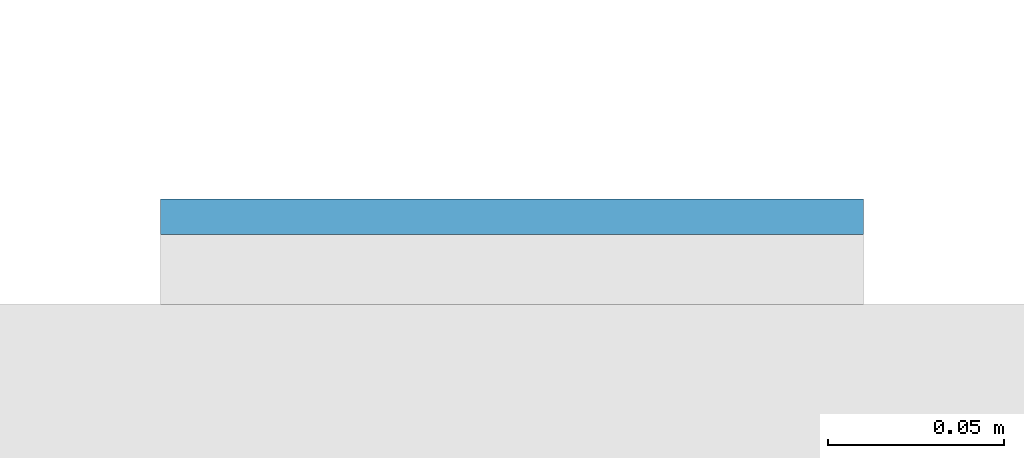
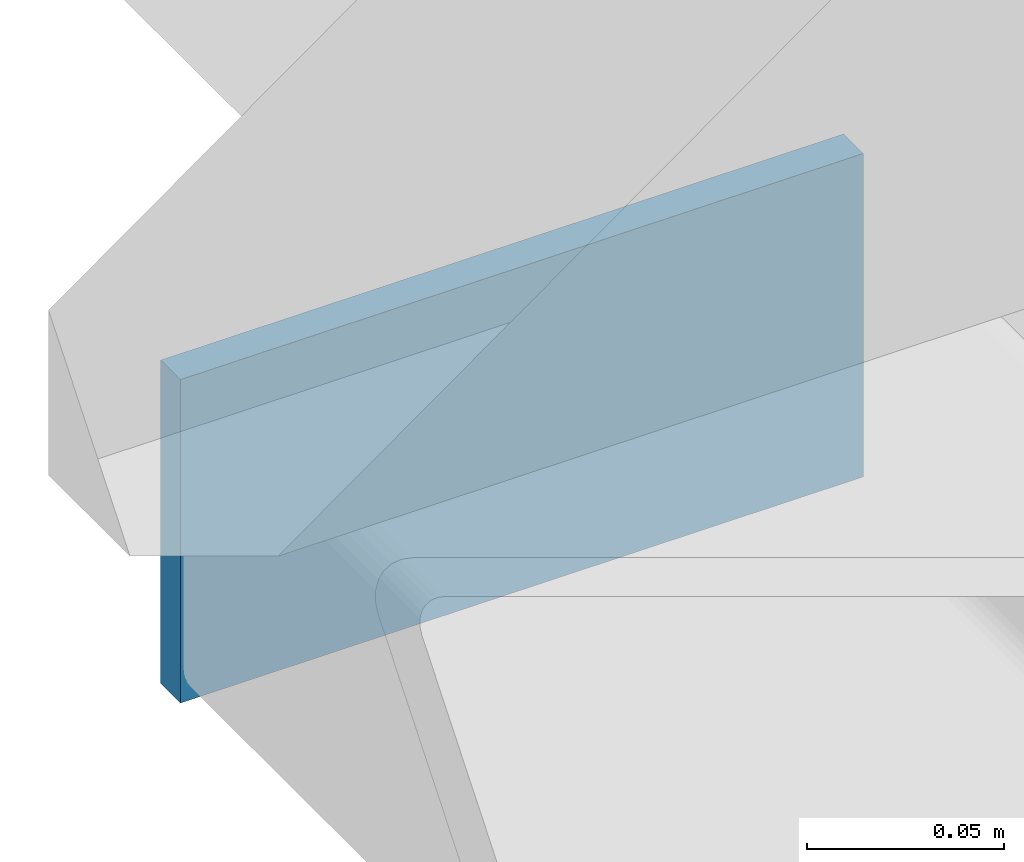
# One storey, part 9 of 20: 1 plate.
"""IFC4 building model written with IfcOpenShell, lengths in metres."""

import ifcopenshell
import ifcopenshell.guid

model = None  # the IFC model being written
_history = None  # IfcOwnerHistory: only IFC2X3 demands one
_inside = {}  # id of a spatial element -> (the spatial element, [elements in it])
_under = {}  # id of a project, library or spatial element -> (it, [spatial elements below it])
_declared = {}  # id of a project -> (the project, [libraries it declares])
_typed = {}  # id of a type object -> (the type object, [elements of that type])
_made_of = {}  # id of a material, layer set ... -> (it, [elements and type objects made of it])


def new_model(schema):
    """Start an empty IFC model of exactly this schema.

    Asked for "IFC4X3", IfcOpenShell would pick the latest addendum, in which some entities
    have other attributes; the version numbers below select the first issue.
    IFC2X3 requires an IfcOwnerHistory on every rooted entity: one is made here for all.
    """
    global model, _history
    if schema == "IFC4X3":
        model = ifcopenshell.file(schema_version=(4, 3, 0, 0))
    else:
        model = ifcopenshell.file(schema=schema)
    _inside.clear()
    _under.clear()
    _declared.clear()
    _typed.clear()
    _made_of.clear()
    _history = None
    if model.schema == "IFC2X3":
        org = make("IfcOrganization", Name="unknown")
        user = make(
            "IfcPersonAndOrganization",
            ThePerson=make("IfcPerson", FamilyName="unknown"),
            TheOrganization=org,
        )
        app = make(
            "IfcApplication",
            ApplicationDeveloper=org,
            Version="unknown",
            ApplicationFullName="unknown",
            ApplicationIdentifier="unknown",
        )
        _history = make(
            "IfcOwnerHistory",
            OwningUser=user,
            OwningApplication=app,
            ChangeAction="ADDED",
            CreationDate=0,
        )
    return model


def make(cls, **values):
    """One entity of the class cls with the attributes given. An attribute that is None is left unset."""
    return model.create_entity(
        cls, **{name: value for name, value in values.items() if value is not None}
    )


def rooted(cls, **values):
    """An entity with a GlobalId (a new one), such as an element, a storey or a relation."""
    return make(cls, GlobalId=ifcopenshell.guid.new(), OwnerHistory=_history, **values)


def si_unit(unit_type, name, prefix=None):
    """IfcSIUnit, for example si_unit("LENGTHUNIT", "METRE", prefix="MILLI")."""
    return make("IfcSIUnit", UnitType=unit_type, Prefix=prefix, Name=name)


def assignment(units):
    """IfcUnitAssignment: the units of a project."""
    return None if units is None else make("IfcUnitAssignment", Units=units)


def point(xyz):
    """IfcCartesianPoint."""
    return None if xyz is None else make("IfcCartesianPoint", Coordinates=xyz)


def direction(xyz):
    """IfcDirection."""
    return None if xyz is None else make("IfcDirection", DirectionRatios=xyz)


def frame(location, z_axis=None, x_axis=None):
    """IfcAxis2Placement3D, a coordinate frame: its origin and axes. An axis left out is left unset."""
    return make(
        "IfcAxis2Placement3D",
        Location=point(location),
        Axis=direction(z_axis),
        RefDirection=direction(x_axis),
    )


def frame_2d(location, x_axis=None):
    """IfcAxis2Placement2D, a coordinate frame in the plane: its origin and x axis."""
    return make(
        "IfcAxis2Placement2D", Location=point(location), RefDirection=direction(x_axis)
    )


def origin():
    """The frame at (0, 0, 0) with its axes left unset."""
    return frame((0.0, 0.0, 0.0))


def origin_2d():
    """The frame at (0, 0) in the plane with its x axis left unset."""
    return frame_2d((0.0, 0.0))


def place(relative_to, where):
    """IfcLocalPlacement: puts the frame where relative to a parent placement (None: the world)."""
    return make(
        "IfcLocalPlacement", PlacementRelTo=relative_to, RelativePlacement=where
    )


def context(
    kind, dimensions, precision=None, world=None, true_north=None, identifier=None
):
    """IfcGeometricRepresentationContext, for example the 3D "Model" context."""
    return make(
        "IfcGeometricRepresentationContext",
        ContextIdentifier=identifier,
        ContextType=kind,
        CoordinateSpaceDimension=dimensions,
        Precision=precision,
        WorldCoordinateSystem=world,
        TrueNorth=true_north,
    )


def subcontext(parent, identifier, kind, view, scale=None):
    """IfcGeometricRepresentationSubContext, for example "Body" below "Model"."""
    return make(
        "IfcGeometricRepresentationSubContext",
        ContextIdentifier=identifier,
        ContextType=kind,
        ParentContext=parent,
        TargetScale=scale,
        TargetView=view,
    )


def project(units=None, contexts=None):
    """IfcProject with its units and contexts."""
    return rooted(
        "IfcProject",
        Name="project",
        RepresentationContexts=contexts,
        UnitsInContext=assignment(units),
    )


def spatial(cls, under=None, at=None, **own):
    """A site, building, storey or space (cls), placed at a placement, below another one or the project."""
    s = rooted(cls, ObjectPlacement=at, **own)
    if under is not None:
        _under.setdefault(under.id(), (under, []))[1].append(s)
    return s


def profile(cls, at=None, kind="AREA", **sizes):
    """A parametric profile (cls). Its sizes go by their IFC names, for example OverallWidth=200.0."""
    return make(cls, ProfileType=kind, Position=at, **sizes)


def rectangle(**sizes):
    """IfcRectangleProfileDef."""
    return profile("IfcRectangleProfileDef", **sizes)


def extrude(swept, where, along, depth):
    """IfcExtrudedAreaSolid: the profile swept, set in the frame where, extruded along a direction by depth."""
    return make(
        "IfcExtrudedAreaSolid",
        SweptArea=swept,
        Position=where,
        ExtrudedDirection=direction(along),
        Depth=depth,
    )


def shape(context_of_items, identifier, shape_type, items):
    """IfcShapeRepresentation: the items that make up one representation, for example the "Body"."""
    return make(
        "IfcShapeRepresentation",
        ContextOfItems=context_of_items,
        RepresentationIdentifier=identifier,
        RepresentationType=shape_type,
        Items=items,
    )


def material(Name=None, Category=None):
    """IfcMaterial."""
    return make("IfcMaterial", Name=Name, Category=Category)


def layer(
    of_material, thickness, ventilated=None, Name=None, Category=None, Priority=None
):
    """IfcMaterialLayer: one layer of a wall or slab, of a material (None: an air gap)."""
    return make(
        "IfcMaterialLayer",
        Material=of_material,
        LayerThickness=thickness,
        IsVentilated=ventilated,
        Name=Name,
        Category=Category,
        Priority=Priority,
    )


def layer_set(layers, Name=None):
    """IfcMaterialLayerSet."""
    return make("IfcMaterialLayerSet", MaterialLayers=layers, LayerSetName=Name)


def made_of(thing, what):
    """Note that an element or type object is made of a material, layer set ...; save() writes the relation."""
    if what is not None:
        _made_of.setdefault(what.id(), (what, []))[1].append(thing)
    return thing


def type_object(cls, material=None, **own):
    """A type object (cls), such as IfcWallType, which elements share."""
    return made_of(rooted(cls, **own), material)


def element(
    cls,
    number,
    at=None,
    inside=None,
    cuts=None,
    type_object=None,
    material=None,
    context=None,
    identifier="Body",
    shape_type=None,
    held_by="IfcProductDefinitionShape",
    body=None,
    shapes=None,
    **own,
):
    """One element of the class cls, such as IfcWall. Its Tag is "e" and its number.

    at: its placement. inside: the storey or other place that contains it. cuts: it is an
    opening in that element (IfcRelVoidsElement). A single representation is given by context,
    identifier, shape_type and body (its items); several are given by shapes. held_by: the class
    of the entity that holds the representations. save() writes the other relations.
    """
    e = rooted(cls, Tag="e%d" % number, ObjectPlacement=at, **own)
    if body is not None:
        shapes = [shape(context, identifier, shape_type, body)]
    if shapes is not None:
        e.Representation = make(held_by, Representations=shapes)
    if inside is not None:
        _inside.setdefault(inside.id(), (inside, []))[1].append(e)
    if cuts is not None:
        rooted(
            "IfcRelVoidsElement", RelatingBuildingElement=cuts, RelatedOpeningElement=e
        )
    if type_object is not None:
        _typed.setdefault(type_object.id(), (type_object, []))[1].append(e)
    return made_of(e, material)


def aggregate(whole, parts):
    """IfcRelAggregates: a whole, such as a stair, and the parts it consists of."""
    return rooted("IfcRelAggregates", RelatingObject=whole, RelatedObjects=parts)


def save(model, path):
    """Write the relations noted so far, then the file.

    IfcRelAggregates (storeys below a building ...), IfcRelContainedInSpatialStructure (elements
    in a storey), IfcRelDefinesByType, IfcRelAssociatesMaterial and IfcRelDeclares: one each for
    every whole, place, type object, material and project.
    """
    for whole, parts in _under.values():
        aggregate(whole, parts)
    for where, things in _inside.values():
        rooted(
            "IfcRelContainedInSpatialStructure",
            RelatedElements=things,
            RelatingStructure=where,
        )
    for kind, things in _typed.values():
        rooted("IfcRelDefinesByType", RelatedObjects=things, RelatingType=kind)
    for what, things in _made_of.values():
        rooted("IfcRelAssociatesMaterial", RelatedObjects=things, RelatingMaterial=what)
    for by, libraries in _declared.values():
        rooted("IfcRelDeclares", RelatingContext=by, RelatedDefinitions=libraries)
    model.write(path)


model = new_model("IFC4")

# Units and contexts
model_context = context("Model", 3, precision=1e-05, world=origin(), true_north=direction((0.0, 1.0)))
body_context = subcontext(model_context, "Body", "Model", "MODEL_VIEW")
ifc_project = project(units=[si_unit("LENGTHUNIT", "METRE"), si_unit("AREAUNIT", "SQUARE_METRE"), si_unit("VOLUMEUNIT", "CUBIC_METRE"), si_unit("PLANEANGLEUNIT", "RADIAN"), si_unit("MASSUNIT", "GRAM", prefix="KILO")], contexts=[model_context])

# Site, building, storey
site_placement = place(None, origin())
site = spatial("IfcSite", under=ifc_project, at=site_placement, CompositionType="ELEMENT")
building_placement = place(site_placement, origin())
building = spatial("IfcBuilding", under=site, at=building_placement, Name="Cleftline Residences", CompositionType="ELEMENT")
storey_placement = place(building_placement, frame((0.0, 0.0, 164.60009765625)))
storey = spatial("IfcBuildingStorey", under=building, at=storey_placement, Name="L43", CompositionType="ELEMENT", Elevation=164.60009765625)

# Plate
ifc_material = material(Name="Steel S355, hot-dip galvanised", Category="steel")
ifc_layer = layer(ifc_material, 0.010009765625)
ifc_layer_set = layer_set([ifc_layer], Name="BAGUETTE CARRIER END PLATE 200X100X10")
plate_type = type_object("IfcPlateType", Name="BAGUETTE CARRIER END PLATE 200X100X10", PredefinedType="USERDEFINED", material=ifc_layer_set)
plate_placement = place(storey_placement, frame((-0.85009765625, 44.304931640625, -0.10009765625), z_axis=(0.0, 0.0, 1.0), x_axis=(-1.0, 0.0, 0.0)))
element("IfcPlate", 1, at=plate_placement, inside=storey, type_object=plate_type, Name="Baguette carrier end plate", ObjectType="BAGUETTE CARRIER END PLATE", PredefinedType="USERDEFINED", context=body_context, shape_type="SweptSolid", body=[
    extrude(rectangle(XDim=0.199951171875, YDim=0.010009765625, at=origin_2d()), origin(), (0.0, 0.0, 1.0), 0.10009765625),
])

save(model, "model.ifc")
